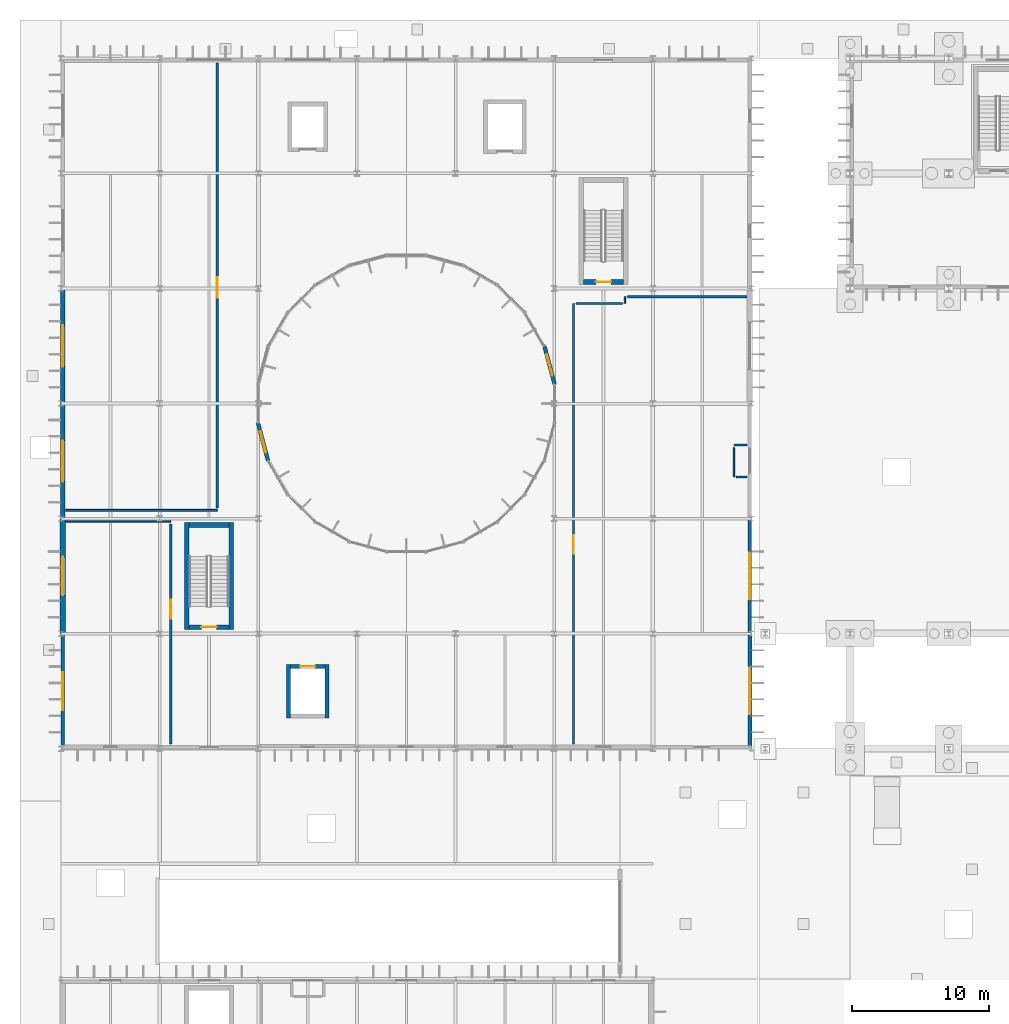
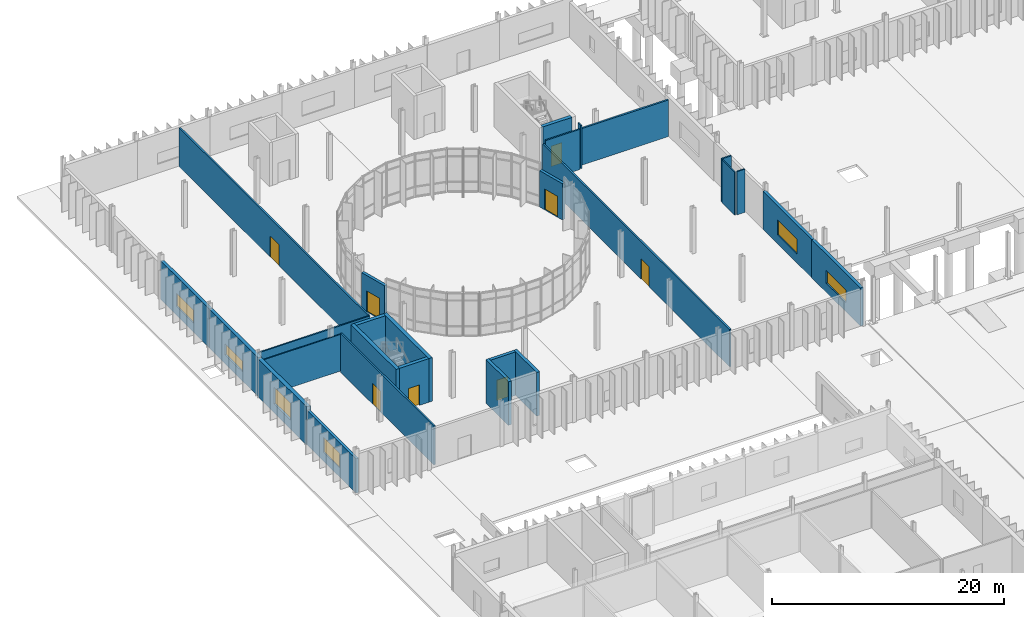
# One storey, part 94 of 118: 27 walls, 8 doors, 6 windows, 14 openings.
"""IFC4 building model written with IfcOpenShell, lengths in metres."""

import ifcopenshell
import ifcopenshell.guid

model = None  # the IFC model being written
_history = None  # IfcOwnerHistory: only IFC2X3 demands one
_inside = {}  # id of a spatial element -> (the spatial element, [elements in it])
_under = {}  # id of a project, library or spatial element -> (it, [spatial elements below it])
_declared = {}  # id of a project -> (the project, [libraries it declares])
_typed = {}  # id of a type object -> (the type object, [elements of that type])
_made_of = {}  # id of a material, layer set ... -> (it, [elements and type objects made of it])


def new_model(schema):
    """Start an empty IFC model of exactly this schema.

    Asked for "IFC4X3", IfcOpenShell would pick the latest addendum, in which some entities
    have other attributes; the version numbers below select the first issue.
    IFC2X3 requires an IfcOwnerHistory on every rooted entity: one is made here for all.
    """
    global model, _history
    if schema == "IFC4X3":
        model = ifcopenshell.file(schema_version=(4, 3, 0, 0))
    else:
        model = ifcopenshell.file(schema=schema)
    _inside.clear()
    _under.clear()
    _declared.clear()
    _typed.clear()
    _made_of.clear()
    _history = None
    if model.schema == "IFC2X3":
        org = make("IfcOrganization", Name="unknown")
        user = make(
            "IfcPersonAndOrganization",
            ThePerson=make("IfcPerson", FamilyName="unknown"),
            TheOrganization=org,
        )
        app = make(
            "IfcApplication",
            ApplicationDeveloper=org,
            Version="unknown",
            ApplicationFullName="unknown",
            ApplicationIdentifier="unknown",
        )
        _history = make(
            "IfcOwnerHistory",
            OwningUser=user,
            OwningApplication=app,
            ChangeAction="ADDED",
            CreationDate=0,
        )
    return model


def make(cls, **values):
    """One entity of the class cls with the attributes given. An attribute that is None is left unset."""
    return model.create_entity(
        cls, **{name: value for name, value in values.items() if value is not None}
    )


def rooted(cls, **values):
    """An entity with a GlobalId (a new one), such as an element, a storey or a relation."""
    return make(cls, GlobalId=ifcopenshell.guid.new(), OwnerHistory=_history, **values)


def si_unit(unit_type, name, prefix=None):
    """IfcSIUnit, for example si_unit("LENGTHUNIT", "METRE", prefix="MILLI")."""
    return make("IfcSIUnit", UnitType=unit_type, Prefix=prefix, Name=name)


def assignment(units):
    """IfcUnitAssignment: the units of a project."""
    return None if units is None else make("IfcUnitAssignment", Units=units)


def point(xyz):
    """IfcCartesianPoint."""
    return None if xyz is None else make("IfcCartesianPoint", Coordinates=xyz)


def direction(xyz):
    """IfcDirection."""
    return None if xyz is None else make("IfcDirection", DirectionRatios=xyz)


def frame(location, z_axis=None, x_axis=None):
    """IfcAxis2Placement3D, a coordinate frame: its origin and axes. An axis left out is left unset."""
    return make(
        "IfcAxis2Placement3D",
        Location=point(location),
        Axis=direction(z_axis),
        RefDirection=direction(x_axis),
    )


def frame_2d(location, x_axis=None):
    """IfcAxis2Placement2D, a coordinate frame in the plane: its origin and x axis."""
    return make(
        "IfcAxis2Placement2D", Location=point(location), RefDirection=direction(x_axis)
    )


def origin():
    """The frame at (0, 0, 0) with its axes left unset."""
    return frame((0.0, 0.0, 0.0))


def place(relative_to, where):
    """IfcLocalPlacement: puts the frame where relative to a parent placement (None: the world)."""
    return make(
        "IfcLocalPlacement", PlacementRelTo=relative_to, RelativePlacement=where
    )


def context(
    kind, dimensions, precision=None, world=None, true_north=None, identifier=None
):
    """IfcGeometricRepresentationContext, for example the 3D "Model" context."""
    return make(
        "IfcGeometricRepresentationContext",
        ContextIdentifier=identifier,
        ContextType=kind,
        CoordinateSpaceDimension=dimensions,
        Precision=precision,
        WorldCoordinateSystem=world,
        TrueNorth=true_north,
    )


def subcontext(parent, identifier, kind, view, scale=None):
    """IfcGeometricRepresentationSubContext, for example "Body" below "Model"."""
    return make(
        "IfcGeometricRepresentationSubContext",
        ContextIdentifier=identifier,
        ContextType=kind,
        ParentContext=parent,
        TargetScale=scale,
        TargetView=view,
    )


def project(units=None, contexts=None):
    """IfcProject with its units and contexts."""
    return rooted(
        "IfcProject",
        Name="project",
        RepresentationContexts=contexts,
        UnitsInContext=assignment(units),
    )


def spatial(cls, under=None, at=None, **own):
    """A site, building, storey or space (cls), placed at a placement, below another one or the project."""
    s = rooted(cls, ObjectPlacement=at, **own)
    if under is not None:
        _under.setdefault(under.id(), (under, []))[1].append(s)
    return s


def profile(cls, at=None, kind="AREA", **sizes):
    """A parametric profile (cls). Its sizes go by their IFC names, for example OverallWidth=200.0."""
    return make(cls, ProfileType=kind, Position=at, **sizes)


def rectangle(**sizes):
    """IfcRectangleProfileDef."""
    return profile("IfcRectangleProfileDef", **sizes)


def extrude(swept, where, along, depth):
    """IfcExtrudedAreaSolid: the profile swept, set in the frame where, extruded along a direction by depth."""
    return make(
        "IfcExtrudedAreaSolid",
        SweptArea=swept,
        Position=where,
        ExtrudedDirection=direction(along),
        Depth=depth,
    )


def shape(context_of_items, identifier, shape_type, items):
    """IfcShapeRepresentation: the items that make up one representation, for example the "Body"."""
    return make(
        "IfcShapeRepresentation",
        ContextOfItems=context_of_items,
        RepresentationIdentifier=identifier,
        RepresentationType=shape_type,
        Items=items,
    )


def material(Name=None, Category=None):
    """IfcMaterial."""
    return make("IfcMaterial", Name=Name, Category=Category)


def layer(
    of_material, thickness, ventilated=None, Name=None, Category=None, Priority=None
):
    """IfcMaterialLayer: one layer of a wall or slab, of a material (None: an air gap)."""
    return make(
        "IfcMaterialLayer",
        Material=of_material,
        LayerThickness=thickness,
        IsVentilated=ventilated,
        Name=Name,
        Category=Category,
        Priority=Priority,
    )


def layer_set(layers, Name=None):
    """IfcMaterialLayerSet."""
    return make("IfcMaterialLayerSet", MaterialLayers=layers, LayerSetName=Name)


def made_of(thing, what):
    """Note that an element or type object is made of a material, layer set ...; save() writes the relation."""
    if what is not None:
        _made_of.setdefault(what.id(), (what, []))[1].append(thing)
    return thing


def type_object(cls, material=None, **own):
    """A type object (cls), such as IfcWallType, which elements share."""
    return made_of(rooted(cls, **own), material)


def element(
    cls,
    number,
    at=None,
    inside=None,
    cuts=None,
    type_object=None,
    material=None,
    context=None,
    identifier="Body",
    shape_type=None,
    held_by="IfcProductDefinitionShape",
    body=None,
    shapes=None,
    **own,
):
    """One element of the class cls, such as IfcWall. Its Tag is "e" and its number.

    at: its placement. inside: the storey or other place that contains it. cuts: it is an
    opening in that element (IfcRelVoidsElement). A single representation is given by context,
    identifier, shape_type and body (its items); several are given by shapes. held_by: the class
    of the entity that holds the representations. save() writes the other relations.
    """
    e = rooted(cls, Tag="e%d" % number, ObjectPlacement=at, **own)
    if body is not None:
        shapes = [shape(context, identifier, shape_type, body)]
    if shapes is not None:
        e.Representation = make(held_by, Representations=shapes)
    if inside is not None:
        _inside.setdefault(inside.id(), (inside, []))[1].append(e)
    if cuts is not None:
        rooted(
            "IfcRelVoidsElement", RelatingBuildingElement=cuts, RelatedOpeningElement=e
        )
    if type_object is not None:
        _typed.setdefault(type_object.id(), (type_object, []))[1].append(e)
    return made_of(e, material)


def fill(opening, filler):
    """IfcRelFillsElement: the door or window that sits in an opening."""
    return rooted(
        "IfcRelFillsElement",
        RelatingOpeningElement=opening,
        RelatedBuildingElement=filler,
    )


def aggregate(whole, parts):
    """IfcRelAggregates: a whole, such as a stair, and the parts it consists of."""
    return rooted("IfcRelAggregates", RelatingObject=whole, RelatedObjects=parts)


def save(model, path):
    """Write the relations noted so far, then the file.

    IfcRelAggregates (storeys below a building ...), IfcRelContainedInSpatialStructure (elements
    in a storey), IfcRelDefinesByType, IfcRelAssociatesMaterial and IfcRelDeclares: one each for
    every whole, place, type object, material and project.
    """
    for whole, parts in _under.values():
        aggregate(whole, parts)
    for where, things in _inside.values():
        rooted(
            "IfcRelContainedInSpatialStructure",
            RelatedElements=things,
            RelatingStructure=where,
        )
    for kind, things in _typed.values():
        rooted("IfcRelDefinesByType", RelatedObjects=things, RelatingType=kind)
    for what, things in _made_of.values():
        rooted("IfcRelAssociatesMaterial", RelatedObjects=things, RelatingMaterial=what)
    for by, libraries in _declared.values():
        rooted("IfcRelDeclares", RelatingContext=by, RelatedDefinitions=libraries)
    model.write(path)


model = new_model("IFC4")

# Units and contexts
model_context = context("Model", 3, precision=1e-05, world=origin(), true_north=direction((0.0, 1.0)))
body_context = subcontext(model_context, "Body", "Model", "MODEL_VIEW")
ifc_project = project(units=[si_unit("LENGTHUNIT", "METRE"), si_unit("AREAUNIT", "SQUARE_METRE"), si_unit("VOLUMEUNIT", "CUBIC_METRE"), si_unit("PLANEANGLEUNIT", "RADIAN"), si_unit("MASSUNIT", "GRAM", prefix="KILO")], contexts=[model_context])

# Site, building, storey
site_placement = place(None, origin())
site = spatial("IfcSite", under=ifc_project, at=site_placement, CompositionType="ELEMENT")
building_placement = place(site_placement, origin())
building = spatial("IfcBuilding", under=site, at=building_placement, Name="Qelthora Terrace Specialist Clinic", CompositionType="ELEMENT")
storey_placement = place(building_placement, origin())
storey = spatial("IfcBuildingStorey", under=building, at=storey_placement, Name="L00", CompositionType="ELEMENT", Elevation=0.0)

# Walls
ifc_material_1 = material(Name="Concrete C40/50", Category="concrete")
ifc_layer_1 = layer(ifc_material_1, 0.300048828125)
ifc_layer_set_1 = layer_set([ifc_layer_1], Name="Concrete C40/50")
wall_type_1 = type_object("IfcWallType", Name="WAL-CORE-300-C40", PredefinedType="SHEAR", material=ifc_layer_set_1)
for number, where, z_axis, x_axis, name in (
    (1, (16.60009765625, 61.050048828125, 0.0), (0.0, 0.0, 1.0), (0.0, 1.0, 0.0), "Lift SL-01 L00 west shaft wall"),
    (2, (19.39990234375, 61.050048828125, 0.0), (0.0, 0.0, 1.0), (0.0, 1.0, 0.0), "Lift SL-01 L00 east shaft wall"),
):
    element("IfcWall", number, at=place(storey_placement, frame(where, z_axis=z_axis, x_axis=x_axis)), inside=storey, type_object=wall_type_1, Name=name, PredefinedType="SHEAR", context=body_context, shape_type="SweptSolid", body=[
        extrude(rectangle(XDim=3.89990234375, YDim=0.300048828125, at=frame_2d((1.949951171875, 0.0))), origin(), (0.0, 0.0, 1.0), 4.580078125),
    ])

# Wall, opening, door
wall_1_placement = place(storey_placement, frame((16.75, 64.800048828125, 0.0), z_axis=(0.0, 0.0, 1.0), x_axis=(1.0, 0.0, 0.0)))
wall_1 = element("IfcWall", 3, at=wall_1_placement, inside=storey, type_object=wall_type_1, Name="Lift SL-01 L00 north shaft wall", PredefinedType="SHEAR", context=body_context, shape_type="SweptSolid", body=[
    extrude(rectangle(XDim=2.5, YDim=0.300048828125, at=frame_2d((1.25, 0.0))), origin(), (0.0, 0.0, 1.0), 4.580078125),
])
opening_1_placement = place(wall_1_placement, frame((0.699951171875, 0.0, 0.0)))
opening_1 = element("IfcOpeningElement", 4, at=opening_1_placement, cuts=wall_1, Name="Opening LD-SL-01-L00", PredefinedType="OPENING", context=body_context, shape_type="SweptSolid", body=[
    extrude(rectangle(XDim=1.10009765625, YDim=2.14990234375, at=frame_2d((0.550048828125, 1.074951171875))), frame((0.0, 0.159912109375, 0.0), z_axis=(0.0, -1.0, 0.0), x_axis=(1.0, 0.0, 0.0)), (0.0, 0.0, 1.0), 0.320068359375),
])
ifc_material_2 = material(Name="Steel S355", Category="steel")
door_type_1 = type_object("IfcDoorType", Name="DOR-LIFT-1100X2150", OperationType="NOTDEFINED", PredefinedType="DOOR", material=ifc_material_2)
door_1_placement = place(opening_1_placement, origin())
door_1 = element("IfcDoor", 5, at=door_1_placement, inside=storey, type_object=door_type_1, Name="Lift landing sliding door LD-SL-01-L00", OperationType="DOUBLE_DOOR_SLIDING", OverallHeight=2.14990234375, OverallWidth=1.10009765625, PredefinedType="DOOR", context=body_context, shape_type="SweptSolid", body=[
    extrude(rectangle(XDim=1.10009765625, YDim=2.14990234375, at=frame_2d((0.550048828125, 1.074951171875))), frame((0.0, 0.02490234375, 0.0), z_axis=(0.0, -1.0, 0.0), x_axis=(1.0, 0.0, 0.0)), (0.0, 0.0, 1.0), 0.050048828125),
])
fill(opening_1, door_1)

# Walls
ifc_layer_2 = layer(ifc_material_1, 0.35009765625)
ifc_layer_set_2 = layer_set([ifc_layer_2], Name="Concrete C40/50")
wall_type_2 = type_object("IfcWallType", Name="WAL-CORE-350-C40", PredefinedType="SHEAR", material=ifc_layer_set_2)
for number, where, z_axis, x_axis, name in (
    (6, (9.175048828125, 67.5, 0.0), (0.0, 0.0, 1.0), (0.0, 1.0, 0.0), "ST-01 L00 west shear core wall"),
    (7, (12.425048828125, 67.5, 0.0), (0.0, 0.0, 1.0), (0.0, 1.0, 0.0), "ST-01 L00 east shear core wall"),
):
    element("IfcWall", number, at=place(storey_placement, frame(where, z_axis=z_axis, x_axis=x_axis)), inside=storey, type_object=wall_type_2, Name=name, PredefinedType="SHEAR", context=body_context, shape_type="SweptSolid", body=[
        extrude(rectangle(XDim=7.800048828125, YDim=0.35009765625, at=frame_2d((3.89990234375, 0.0))), origin(), (0.0, 0.0, 1.0), 4.580078125),
    ])
wall_2_placement = place(storey_placement, frame((9.35009765625, 75.125, 0.0), z_axis=(0.0, 0.0, 1.0), x_axis=(1.0, 0.0, 0.0)))
element("IfcWall", 8, at=wall_2_placement, inside=storey, type_object=wall_type_2, Name="ST-01 L00 north shear core wall", PredefinedType="SHEAR", context=body_context, shape_type="SweptSolid", body=[
    extrude(rectangle(XDim=2.89990234375, YDim=0.35009765625, at=frame_2d((1.449951171875, 0.0))), origin(), (0.0, 0.0, 1.0), 4.580078125),
])

# Wall, opening, door
wall_3_placement = place(storey_placement, frame((9.35009765625, 67.675048828125, 0.0), z_axis=(0.0, 0.0, 1.0), x_axis=(1.0, 0.0, 0.0)))
wall_3 = element("IfcWall", 9, at=wall_3_placement, inside=storey, type_object=wall_type_2, Name="ST-01 L00 south shear core wall", PredefinedType="SHEAR", context=body_context, shape_type="SweptSolid", body=[
    extrude(rectangle(XDim=2.89990234375, YDim=0.35009765625, at=frame_2d((1.449951171875, 0.0))), origin(), (0.0, 0.0, 1.0), 4.580078125),
])
opening_2_placement = place(wall_3_placement, frame((0.89990234375, 0.0, 0.0)))
opening_2 = element("IfcOpeningElement", 10, at=opening_2_placement, cuts=wall_3, Name="Opening D-ST-01-L00", PredefinedType="OPENING", context=body_context, shape_type="SweptSolid", body=[
    extrude(rectangle(XDim=1.10009765625, YDim=2.14990234375, at=frame_2d((0.550048828125, 1.074951171875))), frame((0.0, 0.18505859375, 0.0), z_axis=(0.0, -1.0, 0.0), x_axis=(1.0, 0.0, 0.0)), (0.0, 0.0, 1.0), 0.3701171875),
])
door_type_2 = type_object("IfcDoorType", Name="DOR-STAIR-1100X2150", OperationType="NOTDEFINED", PredefinedType="DOOR", material=ifc_material_2)
door_2_placement = place(opening_2_placement, frame((1.10009765625, 0.0, 0.0), z_axis=(0.0, 0.0, 1.0), x_axis=(-1.0, 0.0, 0.0)))
door_2 = element("IfcDoor", 11, at=door_2_placement, inside=storey, type_object=door_type_2, Name="Stair fire door D-ST-01-L00", OperationType="SINGLE_SWING_LEFT", OverallHeight=2.14990234375, OverallWidth=1.10009765625, PredefinedType="DOOR", context=body_context, shape_type="SweptSolid", body=[
    extrude(rectangle(XDim=1.10009765625, YDim=2.14990234375, at=frame_2d((0.550048828125, 1.074951171875))), frame((0.0, 0.02490234375, 0.0), z_axis=(0.0, -1.0, 0.0), x_axis=(1.0, 0.0, 0.0)), (0.0, 0.0, 1.0), 0.050048828125),
])
fill(opening_2, door_2)

wall_4_placement = place(storey_placement, frame((38.14990234375, 92.875, 0.0), z_axis=(0.0, 0.0, 1.0), x_axis=(1.0, 0.0, 0.0)))
wall_4 = element("IfcWall", 12, at=wall_4_placement, inside=storey, type_object=wall_type_2, Name="ST-02 L00 south shear core wall", PredefinedType="SHEAR", context=body_context, shape_type="SweptSolid", body=[
    extrude(rectangle(XDim=2.900146484375, YDim=0.35009765625, at=frame_2d((1.4501953125, 0.0))), origin(), (0.0, 0.0, 1.0), 4.580078125),
])
opening_3_placement = place(wall_4_placement, frame((0.89990234375, 0.0, 0.0)))
opening_3 = element("IfcOpeningElement", 13, at=opening_3_placement, cuts=wall_4, Name="Opening D-ST-02-L00", PredefinedType="OPENING", context=body_context, shape_type="SweptSolid", body=[
    extrude(rectangle(XDim=1.10009765625, YDim=2.14990234375, at=frame_2d((0.550048828125, 1.074951171875))), frame((0.0, 0.18505859375, 0.0), z_axis=(0.0, -1.0, 0.0), x_axis=(1.0, 0.0, 0.0)), (0.0, 0.0, 1.0), 0.3701171875),
])
door_3_placement = place(opening_3_placement, frame((1.10009765625, 0.0, 0.0), z_axis=(0.0, 0.0, 1.0), x_axis=(-1.0, 0.0, 0.0)))
door_3 = element("IfcDoor", 14, at=door_3_placement, inside=storey, type_object=door_type_2, Name="Stair fire door D-ST-02-L00", OperationType="SINGLE_SWING_RIGHT", OverallHeight=2.14990234375, OverallWidth=1.10009765625, PredefinedType="DOOR", context=body_context, shape_type="SweptSolid", body=[
    extrude(rectangle(XDim=1.10009765625, YDim=2.14990234375, at=frame_2d((0.550048828125, 1.074951171875))), frame((0.0, 0.02490234375, 0.0), z_axis=(0.0, -1.0, 0.0), x_axis=(1.0, 0.0, 0.0)), (0.0, 0.0, 1.0), 0.050048828125),
])
fill(opening_3, door_3)

# Wall, opening, window
ifc_material_3 = material(Name="Precast concrete C40/50", Category="concrete")
ifc_layer_3 = layer(ifc_material_3, 0.260009765625)
ifc_layer_set_3 = layer_set([ifc_layer_3], Name="Precast concrete C40/50")
wall_type_3 = type_object("IfcWallType", Name="WAL-EXT-260-PC40", PredefinedType="SOLIDWALL", material=ifc_layer_set_3)
wall_5_placement = place(storey_placement, frame((0.1201171875, 58.800048828125, 0.0), z_axis=(0.0, 0.0, 1.0), x_axis=(0.0, 1.0, 0.0)))
wall_5 = element("IfcWall", 15, at=wall_5_placement, inside=storey, type_object=wall_type_3, Name="L00 external precast wall 64", PredefinedType="SOLIDWALL", context=body_context, shape_type="SweptSolid", body=[
    extrude(rectangle(XDim=8.39990234375, YDim=0.260009765625, at=frame_2d((4.199951171875, 0.0))), origin(), (0.0, 0.0, 1.0), 3.614990234375),
])
opening_4_placement = place(wall_5_placement, frame((2.800048828125, 0.0, 0.949951171875)))
opening_4 = element("IfcOpeningElement", 16, at=opening_4_placement, cuts=wall_5, Name="Opening WN-L00-047", PredefinedType="OPENING", context=body_context, shape_type="SweptSolid", body=[
    extrude(rectangle(XDim=2.800048828125, YDim=1.550048828125, at=frame_2d((1.39990234375, 0.77490234375))), frame((0.0, 0.139892578125, 0.0), z_axis=(0.0, -1.0, 0.0), x_axis=(1.0, 0.0, 0.0)), (0.0, 0.0, 1.0), 0.280029296875),
])
ifc_material_4 = material(Name="Low-E triple-silver insulating glass", Category="glass")
window_type_1 = type_object("IfcWindowType", Name="WIN-2800X1550", PartitioningType="DOUBLE_PANEL_VERTICAL", PredefinedType="WINDOW", material=ifc_material_4)
window_1_placement = place(opening_4_placement, origin())
window_1 = element("IfcWindow", 17, at=window_1_placement, inside=storey, type_object=window_type_1, Name="Clinical window WN-L00-047", OverallHeight=1.550048828125, OverallWidth=2.800048828125, PartitioningType="SINGLE_PANEL", PredefinedType="WINDOW", context=body_context, shape_type="SweptSolid", body=[
    extrude(rectangle(XDim=2.800048828125, YDim=1.550048828125, at=frame_2d((1.39990234375, 0.77490234375))), frame((0.0, 0.030029296875, 0.0), z_axis=(0.0, -1.0, 0.0), x_axis=(1.0, 0.0, 0.0)), (0.0, 0.0, 1.0), 0.06005859375),
])
fill(opening_4, window_1)

# Wall, opening, door
ifc_layer_4 = layer(ifc_material_3, 0.280029296875)
ifc_layer_set_4 = layer_set([ifc_layer_4], Name="Precast concrete C40/50")
wall_type_4 = type_object("IfcWallType", Name="WAL-EXT-280-PC40", PredefinedType="SOLIDWALL", material=ifc_layer_set_4)
wall_6_placement = place(storey_placement, frame((36.0234375, 85.440673828125, 0.0), z_axis=(0.0, 0.0, 1.0), x_axis=(-0.258821206935, 0.965925247025, 0.0)))
wall_6 = element("IfcWall", 18, at=wall_6_placement, inside=storey, type_object=wall_type_4, Name="Sun court CW portal wall 1", PredefinedType="SOLIDWALL", context=body_context, shape_type="SweptSolid", body=[
    extrude(rectangle(XDim=2.819580078125, YDim=0.280029296875, at=frame_2d((1.40966796875, 0.0))), origin(), (0.0, 0.0, 1.0), 3.820068359375),
])
opening_5_placement = place(wall_6_placement, frame((0.609619140625, 0.0, 0.0)))
opening_5 = element("IfcOpeningElement", 19, at=opening_5_placement, cuts=wall_6, Name="Opening DE-CW-01", PredefinedType="OPENING", context=body_context, shape_type="SweptSolid", body=[
    extrude(rectangle(XDim=1.60009765625, YDim=2.199951171875, at=frame_2d((0.800048828125, 1.10009765625))), frame((0.0, 0.14990234375, 0.0), z_axis=(0.0, -1.0, 0.0), x_axis=(1.0, 0.0, 0.0)), (0.0, 0.0, 1.0), 0.300048828125),
])
door_type_3 = type_object("IfcDoorType", Name="DOR-EXT-1600X2200", OperationType="NOTDEFINED", PredefinedType="DOOR", material=ifc_material_2)
door_4_placement = place(opening_5_placement, origin())
door_4 = element("IfcDoor", 20, at=door_4_placement, inside=storey, type_object=door_type_3, Name="Sun court entrance door DE-CW-01", OperationType="DOUBLE_DOOR_SINGLE_SWING", OverallHeight=2.199951171875, OverallWidth=1.60009765625, PredefinedType="DOOR", context=body_context, shape_type="SweptSolid", body=[
    extrude(rectangle(XDim=1.60009765625, YDim=2.199951171875, at=frame_2d((0.800048828125, 1.10009765625))), frame((0.0, 0.02490234375, 0.0), z_axis=(0.0, -1.0, 0.0), x_axis=(1.0, 0.0, 0.0)), (0.0, 0.0, 1.0), 0.050048828125),
])
fill(opening_5, door_4)

wall_7_placement = place(storey_placement, frame((14.37646484375, 82.559326171875, 0.0), z_axis=(0.0, 0.0, 1.0), x_axis=(0.258821206935, -0.965925247025, 0.0)))
wall_7 = element("IfcWall", 21, at=wall_7_placement, inside=storey, type_object=wall_type_4, Name="Sun court CW portal wall 13", PredefinedType="SOLIDWALL", context=body_context, shape_type="SweptSolid", body=[
    extrude(rectangle(XDim=2.819580078125, YDim=0.280029296875, at=frame_2d((1.40966796875, 0.0))), origin(), (0.0, 0.0, 1.0), 3.820068359375),
])
opening_6_placement = place(wall_7_placement, frame((0.609619140625, 0.0, 0.0)))
opening_6 = element("IfcOpeningElement", 22, at=opening_6_placement, cuts=wall_7, Name="Opening DE-CW-13", PredefinedType="OPENING", context=body_context, shape_type="SweptSolid", body=[
    extrude(rectangle(XDim=1.60009765625, YDim=2.199951171875, at=frame_2d((0.800048828125, 1.10009765625))), frame((0.0, 0.14990234375, 0.0), z_axis=(0.0, -1.0, 0.0), x_axis=(1.0, 0.0, 0.0)), (0.0, 0.0, 1.0), 0.300048828125),
])
door_5_placement = place(opening_6_placement, origin())
door_5 = element("IfcDoor", 23, at=door_5_placement, inside=storey, type_object=door_type_3, Name="Sun court entrance door DE-CW-13", OperationType="DOUBLE_DOOR_SINGLE_SWING", OverallHeight=2.199951171875, OverallWidth=1.60009765625, PredefinedType="DOOR", context=body_context, shape_type="SweptSolid", body=[
    extrude(rectangle(XDim=1.60009765625, YDim=2.199951171875, at=frame_2d((0.800048828125, 1.10009765625))), frame((0.0, 0.02490234375, 0.0), z_axis=(0.0, -1.0, 0.0), x_axis=(1.0, 0.0, 0.0)), (0.0, 0.0, 1.0), 0.050048828125),
])
fill(opening_6, door_5)

# Wall, opening, window
wall_8_placement = place(storey_placement, frame((50.280029296875, 67.199951171875, 0.0), z_axis=(0.0, 0.0, 1.0), x_axis=(0.0, 1.0, 0.0)))
wall_8 = element("IfcWall", 24, at=wall_8_placement, inside=storey, type_object=wall_type_4, Name="L00 external precast wall 78", PredefinedType="SOLIDWALL", context=body_context, shape_type="SweptSolid", body=[
    extrude(rectangle(XDim=8.400146484375, YDim=0.280029296875, at=frame_2d((4.2001953125, 0.0))), origin(), (0.0, 0.0, 1.0), 4.0048828125),
])
opening_7_placement = place(wall_8_placement, frame((2.5, 0.0, 0.949951171875)))
opening_7 = element("IfcOpeningElement", 25, at=opening_7_placement, cuts=wall_8, Name="Opening WN-L00-059", PredefinedType="OPENING", context=body_context, shape_type="SweptSolid", body=[
    extrude(rectangle(XDim=3.39990234375, YDim=1.550048828125, at=frame_2d((1.699951171875, 0.77490234375))), frame((0.0, 0.14990234375, 0.0), z_axis=(0.0, -1.0, 0.0), x_axis=(1.0, 0.0, 0.0)), (0.0, 0.0, 1.0), 0.300048828125),
])
window_type_2 = type_object("IfcWindowType", Name="WIN-3400X1550", PartitioningType="DOUBLE_PANEL_VERTICAL", PredefinedType="WINDOW", material=ifc_material_4)
window_2_placement = place(opening_7_placement, origin())
window_2 = element("IfcWindow", 26, at=window_2_placement, inside=storey, type_object=window_type_2, Name="Clinical window WN-L00-059", OverallHeight=1.550048828125, OverallWidth=3.39990234375, PartitioningType="SINGLE_PANEL", PredefinedType="WINDOW", context=body_context, shape_type="SweptSolid", body=[
    extrude(rectangle(XDim=3.39990234375, YDim=1.550048828125, at=frame_2d((1.699951171875, 0.77490234375))), frame((0.0, 0.030029296875, 0.0), z_axis=(0.0, -1.0, 0.0), x_axis=(1.0, 0.0, 0.0)), (0.0, 0.0, 1.0), 0.06005859375),
])
fill(opening_7, window_2)

ifc_layer_5 = layer(ifc_material_3, 0.300048828125)
ifc_layer_set_5 = layer_set([ifc_layer_5], Name="Precast concrete C40/50")
wall_type_5 = type_object("IfcWallType", Name="WAL-EXT-300-PC40", PredefinedType="SOLIDWALL", material=ifc_layer_set_5)
wall_9_placement = place(storey_placement, frame((0.1201171875, 84.0, 0.0), z_axis=(0.0, 0.0, 1.0), x_axis=(0.0, 1.0, 0.0)))
wall_9 = element("IfcWall", 27, at=wall_9_placement, inside=storey, type_object=wall_type_5, Name="L00 external precast wall 67", PredefinedType="SOLIDWALL", context=body_context, shape_type="SweptSolid", body=[
    extrude(rectangle(XDim=8.39990234375, YDim=0.300048828125, at=frame_2d((4.199951171875, 0.0))), origin(), (0.0, 0.0, 1.0), 4.08203125),
])
opening_8_placement = place(wall_9_placement, frame((2.699951171875, 0.0, 0.949951171875)))
opening_8 = element("IfcOpeningElement", 28, at=opening_8_placement, cuts=wall_9, Name="Opening WN-L00-050", PredefinedType="OPENING", context=body_context, shape_type="SweptSolid", body=[
    extrude(rectangle(XDim=3.0, YDim=1.35009765625, at=frame_2d((1.5, 0.675048828125))), frame((0.0, 0.159912109375, 0.0), z_axis=(0.0, -1.0, 0.0), x_axis=(1.0, 0.0, 0.0)), (0.0, 0.0, 1.0), 0.320068359375),
])
window_type_3 = type_object("IfcWindowType", Name="WIN-3000X1350", PartitioningType="DOUBLE_PANEL_VERTICAL", PredefinedType="WINDOW", material=ifc_material_4)
window_3_placement = place(opening_8_placement, origin())
window_3 = element("IfcWindow", 29, at=window_3_placement, inside=storey, type_object=window_type_3, Name="Clinical window WN-L00-050", OverallHeight=1.35009765625, OverallWidth=3.0, PartitioningType="SINGLE_PANEL", PredefinedType="WINDOW", context=body_context, shape_type="SweptSolid", body=[
    extrude(rectangle(XDim=3.0, YDim=1.35009765625, at=frame_2d((1.5, 0.675048828125))), frame((0.0, 0.030029296875, 0.0), z_axis=(0.0, -1.0, 0.0), x_axis=(1.0, 0.0, 0.0)), (0.0, 0.0, 1.0), 0.06005859375),
])
fill(opening_8, window_3)

wall_10_placement = place(storey_placement, frame((50.280029296875, 58.800048828125, 0.0), z_axis=(0.0, 0.0, 1.0), x_axis=(0.0, 1.0, 0.0)))
wall_10 = element("IfcWall", 30, at=wall_10_placement, inside=storey, type_object=wall_type_5, Name="L00 external precast wall 77", PredefinedType="SOLIDWALL", context=body_context, shape_type="SweptSolid", body=[
    extrude(rectangle(XDim=8.39990234375, YDim=0.300048828125, at=frame_2d((4.199951171875, 0.0))), origin(), (0.0, 0.0, 1.0), 4.0048828125),
])
opening_9_placement = place(wall_10_placement, frame((2.5, 0.0, 0.949951171875)))
opening_9 = element("IfcOpeningElement", 31, at=opening_9_placement, cuts=wall_10, Name="Opening WN-L00-058", PredefinedType="OPENING", context=body_context, shape_type="SweptSolid", body=[
    extrude(rectangle(XDim=3.39990234375, YDim=1.35009765625, at=frame_2d((1.699951171875, 0.675048828125))), frame((0.0, 0.159912109375, 0.0), z_axis=(0.0, -1.0, 0.0), x_axis=(1.0, 0.0, 0.0)), (0.0, 0.0, 1.0), 0.320068359375),
])
window_type_4 = type_object("IfcWindowType", Name="WIN-3400X1350", PartitioningType="DOUBLE_PANEL_VERTICAL", PredefinedType="WINDOW", material=ifc_material_4)
window_4_placement = place(opening_9_placement, origin())
window_4 = element("IfcWindow", 32, at=window_4_placement, inside=storey, type_object=window_type_4, Name="Clinical window WN-L00-058", OverallHeight=1.35009765625, OverallWidth=3.39990234375, PartitioningType="SINGLE_PANEL", PredefinedType="WINDOW", context=body_context, shape_type="SweptSolid", body=[
    extrude(rectangle(XDim=3.39990234375, YDim=1.35009765625, at=frame_2d((1.699951171875, 0.675048828125))), frame((0.0, 0.030029296875, 0.0), z_axis=(0.0, -1.0, 0.0), x_axis=(1.0, 0.0, 0.0)), (0.0, 0.0, 1.0), 0.06005859375),
])
fill(opening_9, window_4)

ifc_layer_6 = layer(ifc_material_3, 0.320068359375)
ifc_layer_set_6 = layer_set([ifc_layer_6], Name="Precast concrete C40/50")
wall_type_6 = type_object("IfcWallType", Name="WAL-EXT-320-PC40", PredefinedType="SOLIDWALL", material=ifc_layer_set_6)
wall_11_placement = place(storey_placement, frame((0.1201171875, 75.60009765625, 0.0), z_axis=(0.0, 0.0, 1.0), x_axis=(0.0, 1.0, 0.0)))
wall_11 = element("IfcWall", 33, at=wall_11_placement, inside=storey, type_object=wall_type_6, Name="L00 external precast wall 66", PredefinedType="SOLIDWALL", context=body_context, shape_type="SweptSolid", body=[
    extrude(rectangle(XDim=8.39990234375, YDim=0.320068359375, at=frame_2d((4.199951171875, 0.0))), origin(), (0.0, 0.0, 1.0), 4.075927734375),
])
opening_10_placement = place(wall_11_placement, frame((2.699951171875, 0.0, 0.949951171875)))
opening_10 = element("IfcOpeningElement", 34, at=opening_10_placement, cuts=wall_11, Name="Opening WN-L00-049", PredefinedType="OPENING", context=body_context, shape_type="SweptSolid", body=[
    extrude(rectangle(XDim=3.0, YDim=1.14990234375, at=frame_2d((1.5, 0.574951171875))), frame((0.0, 0.169921875, 0.0), z_axis=(0.0, -1.0, 0.0), x_axis=(1.0, 0.0, 0.0)), (0.0, 0.0, 1.0), 0.340087890625),
])
window_type_5 = type_object("IfcWindowType", Name="WIN-3000X1150", PartitioningType="DOUBLE_PANEL_VERTICAL", PredefinedType="WINDOW", material=ifc_material_4)
window_5_placement = place(opening_10_placement, origin())
window_5 = element("IfcWindow", 35, at=window_5_placement, inside=storey, type_object=window_type_5, Name="Clinical window WN-L00-049", OverallHeight=1.14990234375, OverallWidth=3.0, PartitioningType="SINGLE_PANEL", PredefinedType="WINDOW", context=body_context, shape_type="SweptSolid", body=[
    extrude(rectangle(XDim=3.0, YDim=1.14990234375, at=frame_2d((1.5, 0.574951171875))), frame((0.0, 0.030029296875, 0.0), z_axis=(0.0, -1.0, 0.0), x_axis=(1.0, 0.0, 0.0)), (0.0, 0.0, 1.0), 0.06005859375),
])
fill(opening_10, window_5)

ifc_layer_7 = layer(ifc_material_3, 0.3798828125)
ifc_layer_set_7 = layer_set([ifc_layer_7], Name="Precast concrete C40/50")
wall_type_7 = type_object("IfcWallType", Name="WAL-EXT-380-PC40", PredefinedType="SOLIDWALL", material=ifc_layer_set_7)
wall_12_placement = place(storey_placement, frame((0.1201171875, 67.199951171875, 0.0), z_axis=(0.0, 0.0, 1.0), x_axis=(0.0, 1.0, 0.0)))
wall_12 = element("IfcWall", 36, at=wall_12_placement, inside=storey, type_object=wall_type_7, Name="L00 external precast wall 65", PredefinedType="SOLIDWALL", context=body_context, shape_type="SweptSolid", body=[
    extrude(rectangle(XDim=8.400146484375, YDim=0.3798828125, at=frame_2d((4.2001953125, 0.0))), origin(), (0.0, 0.0, 1.0), 4.0048828125),
])
opening_11_placement = place(wall_12_placement, frame((2.800048828125, 0.0, 0.949951171875)))
opening_11 = element("IfcOpeningElement", 37, at=opening_11_placement, cuts=wall_12, Name="Opening WN-L00-048", PredefinedType="OPENING", context=body_context, shape_type="SweptSolid", body=[
    extrude(rectangle(XDim=2.800048828125, YDim=1.75, at=frame_2d((1.39990234375, 0.875))), frame((0.0, 0.199951171875, 0.0), z_axis=(0.0, -1.0, 0.0), x_axis=(1.0, 0.0, 0.0)), (0.0, 0.0, 1.0), 0.39990234375),
])
window_type_6 = type_object("IfcWindowType", Name="WIN-2800X1750", PartitioningType="DOUBLE_PANEL_VERTICAL", PredefinedType="WINDOW", material=ifc_material_4)
window_6_placement = place(opening_11_placement, origin())
window_6 = element("IfcWindow", 38, at=window_6_placement, inside=storey, type_object=window_type_6, Name="Clinical window WN-L00-048", OverallHeight=1.75, OverallWidth=2.800048828125, PartitioningType="SINGLE_PANEL", PredefinedType="WINDOW", context=body_context, shape_type="SweptSolid", body=[
    extrude(rectangle(XDim=2.800048828125, YDim=1.75, at=frame_2d((1.39990234375, 0.875))), frame((0.0, 0.030029296875, 0.0), z_axis=(0.0, -1.0, 0.0), x_axis=(1.0, 0.0, 0.0)), (0.0, 0.0, 1.0), 0.06005859375),
])
fill(opening_11, window_6)

# Walls
ifc_material_5 = material(Name="Gypsum acoustic wallboard", Category="gypsum")
ifc_layer_8 = layer(ifc_material_5, 0.139892578125)
ifc_layer_set_8 = layer_set([ifc_layer_8], Name="Gypsum acoustic wallboard")
wall_type_8 = type_object("IfcWallType", Name="WAL-INT-ACU-140", PredefinedType="PARTITIONING", material=ifc_layer_set_8)
wall_13_placement = place(storey_placement, frame((11.39990234375, 76.199951171875, 0.0), z_axis=(0.0, 0.0, 1.0), x_axis=(-1.0, 0.0, 0.0)))
element("IfcWall", 39, at=wall_13_placement, inside=storey, type_object=wall_type_8, Name="Interior clinical partition IWAL-L00-0124", PredefinedType="PARTITIONING", context=body_context, shape_type="SweptSolid", body=[
    extrude(rectangle(XDim=11.059814453125, YDim=0.139892578125, at=frame_2d((5.52978515625, 0.0))), origin(), (0.0, 0.0, 1.0), 4.135009765625),
])
wall_14_placement = place(storey_placement, frame((49.300048828125, 78.639892578125, 0.0), z_axis=(0.0, 0.0, 1.0), x_axis=(1.0, 0.0, 0.0)))
element("IfcWall", 40, at=wall_14_placement, inside=storey, type_object=wall_type_8, Name="Interior clinical partition IWAL-L00-0130", PredefinedType="PARTITIONING", context=body_context, shape_type="SweptSolid", body=[
    extrude(rectangle(XDim=0.760009765625, YDim=0.139892578125, at=frame_2d((0.3798828125, 0.0))), origin(), (0.0, 0.0, 1.0), 4.544921875),
])
ifc_material_6 = material(Name="Gypsum fire-rated wallboard", Category="gypsum")
ifc_layer_9 = layer(ifc_material_6, 0.179931640625)
ifc_layer_set_9 = layer_set([ifc_layer_9], Name="Gypsum fire-rated wallboard")
wall_type_9 = type_object("IfcWallType", Name="WAL-INT-CLN-180", PredefinedType="PARTITIONING", material=ifc_layer_set_9)
wall_15_placement = place(storey_placement, frame((41.340087890625, 91.800048828125, 0.0), z_axis=(0.0, 0.0, 1.0), x_axis=(1.0, 0.0, 0.0)))
element("IfcWall", 41, at=wall_15_placement, inside=storey, type_object=wall_type_9, Name="Interior clinical partition IWAL-L00-0127", PredefinedType="PARTITIONING", context=body_context, shape_type="SweptSolid", body=[
    extrude(rectangle(XDim=8.719970703125, YDim=0.179931640625, at=frame_2d((4.35986328125, 0.0))), origin(), (0.0, 0.0, 1.0), 3.85205078125),
])

# Wall, opening, door
ifc_layer_10 = layer(ifc_material_6, 0.159912109375)
ifc_layer_set_10 = layer_set([ifc_layer_10], Name="Gypsum fire-rated wallboard")
wall_type_10 = type_object("IfcWallType", Name="WAL-INT-COR-160", PredefinedType="PARTITIONING", material=ifc_layer_set_10)
wall_16_placement = place(storey_placement, frame((11.39990234375, 108.860107421875, 0.0), z_axis=(0.0, 0.0, 1.0), x_axis=(0.0, -1.0, 0.0)))
wall_16 = element("IfcWall", 42, at=wall_16_placement, inside=storey, type_object=wall_type_10, Name="Interior clinical partition IWAL-L00-0125", PredefinedType="PARTITIONING", context=body_context, shape_type="SweptSolid", body=[
    extrude(rectangle(XDim=32.480224609375, YDim=0.159912109375, at=frame_2d((16.240234375, 0.0))), origin(), (0.0, 0.0, 1.0), 4.0849609375),
])
opening_12_placement = place(wall_16_placement, frame((15.64990234375, 0.0, 0.0)))
opening_12 = element("IfcOpeningElement", 43, at=opening_12_placement, cuts=wall_16, Name="Opening DI-L00-0048", PredefinedType="OPENING", context=body_context, shape_type="SweptSolid", body=[
    extrude(rectangle(XDim=1.5, YDim=2.199951171875, at=frame_2d((0.75, 1.10009765625))), frame((0.0, 0.08984375, 0.0), z_axis=(0.0, -1.0, 0.0), x_axis=(1.0, 0.0, 0.0)), (0.0, 0.0, 1.0), 0.179931640625),
])
door_type_4 = type_object("IfcDoorType", Name="DOR-OR-1500X2200", OperationType="NOTDEFINED", PredefinedType="DOOR", material=ifc_material_2)
door_6_placement = place(opening_12_placement, frame((1.5, 0.0, 0.0), z_axis=(0.0, 0.0, 1.0), x_axis=(-1.0, 0.0, 0.0)))
door_6 = element("IfcDoor", 44, at=door_6_placement, inside=storey, type_object=door_type_4, Name="Interior clinical door DI-L00-0048", OperationType="SINGLE_SWING_LEFT", OverallHeight=2.199951171875, OverallWidth=1.5, PredefinedType="DOOR", context=body_context, shape_type="SweptSolid", body=[
    extrude(rectangle(XDim=1.5, YDim=2.199951171875, at=frame_2d((0.75, 1.10009765625))), frame((0.0, 0.02490234375, 0.0), z_axis=(0.0, -1.0, 0.0), x_axis=(1.0, 0.0, 0.0)), (0.0, 0.0, 1.0), 0.050048828125),
])
fill(opening_12, door_6)

wall_17_placement = place(storey_placement, frame((37.39990234375, 59.139892578125, 0.0), z_axis=(0.0, 0.0, 1.0), x_axis=(0.0, 1.0, 0.0)))
wall_17 = element("IfcWall", 45, at=wall_17_placement, inside=storey, type_object=wall_type_10, Name="Interior clinical partition IWAL-L00-0131", PredefinedType="PARTITIONING", context=body_context, shape_type="SweptSolid", body=[
    extrude(rectangle(XDim=32.175048828125, YDim=0.159912109375, at=frame_2d((16.08740234375, 0.0))), origin(), (0.0, 0.0, 1.0), 3.927978515625),
])
opening_13_placement = place(wall_17_placement, frame((13.882568359375, 0.0, 0.0)))
opening_13 = element("IfcOpeningElement", 46, at=opening_13_placement, cuts=wall_17, Name="Opening DI-L00-0049", PredefinedType="OPENING", context=body_context, shape_type="SweptSolid", body=[
    extrude(rectangle(XDim=1.35009765625, YDim=2.14990234375, at=frame_2d((0.675048828125, 1.074951171875))), frame((0.0, 0.08984375, 0.0), z_axis=(0.0, -1.0, 0.0), x_axis=(1.0, 0.0, 0.0)), (0.0, 0.0, 1.0), 0.179931640625),
])
door_type_5 = type_object("IfcDoorType", Name="DOR-IMG-1350X2150", OperationType="NOTDEFINED", PredefinedType="DOOR", material=ifc_material_2)
door_7_placement = place(opening_13_placement, frame((1.35009765625, 0.0, 0.0), z_axis=(0.0, 0.0, 1.0), x_axis=(-1.0, 0.0, 0.0)))
door_7 = element("IfcDoor", 47, at=door_7_placement, inside=storey, type_object=door_type_5, Name="Interior clinical door DI-L00-0049", OperationType="SINGLE_SWING_RIGHT", OverallHeight=2.14990234375, OverallWidth=1.35009765625, PredefinedType="DOOR", context=body_context, shape_type="SweptSolid", body=[
    extrude(rectangle(XDim=1.35009765625, YDim=2.14990234375, at=frame_2d((0.675048828125, 1.074951171875))), frame((0.0, 0.02490234375, 0.0), z_axis=(0.0, -1.0, 0.0), x_axis=(1.0, 0.0, 0.0)), (0.0, 0.0, 1.0), 0.050048828125),
])
fill(opening_13, door_7)

wall_18_placement = place(storey_placement, frame((8.0, 75.219970703125, 0.0), z_axis=(0.0, 0.0, 1.0), x_axis=(0.0, -1.0, 0.0)))
wall_18 = element("IfcWall", 48, at=wall_18_placement, inside=storey, type_object=wall_type_10, Name="Interior clinical partition IWAL-L00-0134", PredefinedType="PARTITIONING", context=body_context, shape_type="SweptSolid", body=[
    extrude(rectangle(XDim=16.080078125, YDim=0.159912109375, at=frame_2d((8.0400390625, 0.0))), origin(), (0.0, 0.0, 1.0), 4.0849609375),
])
opening_14_placement = place(wall_18_placement, frame((5.5400390625, 0.0, 0.0)))
opening_14 = element("IfcOpeningElement", 49, at=opening_14_placement, cuts=wall_18, Name="Opening DI-L00-0050", PredefinedType="OPENING", context=body_context, shape_type="SweptSolid", body=[
    extrude(rectangle(XDim=1.39990234375, YDim=2.199951171875, at=frame_2d((0.699951171875, 1.10009765625))), frame((0.0, 0.08984375, 0.0), z_axis=(0.0, -1.0, 0.0), x_axis=(1.0, 0.0, 0.0)), (0.0, 0.0, 1.0), 0.179931640625),
])
door_type_6 = type_object("IfcDoorType", Name="DOR-MRI-1400X2200", OperationType="NOTDEFINED", PredefinedType="DOOR", material=ifc_material_2)
door_8_placement = place(opening_14_placement, frame((1.39990234375, 0.0, 0.0), z_axis=(0.0, 0.0, 1.0), x_axis=(-1.0, 0.0, 0.0)))
door_8 = element("IfcDoor", 50, at=door_8_placement, inside=storey, type_object=door_type_6, Name="Interior clinical door DI-L00-0050", OperationType="SINGLE_SWING_LEFT", OverallHeight=2.199951171875, OverallWidth=1.39990234375, PredefinedType="DOOR", context=body_context, shape_type="SweptSolid", body=[
    extrude(rectangle(XDim=1.39990234375, YDim=2.199951171875, at=frame_2d((0.699951171875, 1.10009765625))), frame((0.0, 0.02490234375, 0.0), z_axis=(0.0, -1.0, 0.0), x_axis=(1.0, 0.0, 0.0)), (0.0, 0.0, 1.0), 0.050048828125),
])
fill(opening_14, door_8)

# Walls
ifc_layer_11 = layer(ifc_material_4, 0.110107421875)
ifc_layer_set_11 = layer_set([ifc_layer_11], Name="Low-E triple-silver insulating glass")
wall_type_11 = type_object("IfcWallType", Name="WAL-INT-GLA-110", PredefinedType="MOVABLE", material=ifc_layer_set_11)
wall_19_placement = place(storey_placement, frame((0.340087890625, 75.39990234375, 0.0), z_axis=(0.0, 0.0, 1.0), x_axis=(1.0, 0.0, 0.0)))
element("IfcWall", 51, at=wall_19_placement, inside=storey, type_object=wall_type_11, Name="Interior clinical partition IWAL-L00-0133", PredefinedType="MOVABLE", context=body_context, shape_type="SweptSolid", body=[
    extrude(rectangle(XDim=7.659912109375, YDim=0.110107421875, at=frame_2d((3.830078125, 0.0))), origin(), (0.0, 0.0, 1.0), 3.85693359375),
])
ifc_layer_12 = layer(ifc_material_5, 0.10009765625)
ifc_layer_set_12 = layer_set([ifc_layer_12], Name="Gypsum acoustic wallboard")
wall_type_12 = type_object("IfcWallType", Name="WAL-INT-LGT-100", PredefinedType="PARTITIONING", material=ifc_layer_set_12)
wall_20_placement = place(storey_placement, frame((49.1201171875, 80.780029296875, 0.0), z_axis=(0.0, 0.0, 1.0), x_axis=(0.0, -1.0, 0.0)))
element("IfcWall", 52, at=wall_20_placement, inside=storey, type_object=wall_type_12, Name="Interior clinical partition IWAL-L00-0129", PredefinedType="PARTITIONING", context=body_context, shape_type="SweptSolid", body=[
    extrude(rectangle(XDim=2.14013671875, YDim=0.10009765625, at=frame_2d((1.070068359375, 0.0))), origin(), (0.0, 0.0, 1.0), 4.544921875),
])
ifc_layer_13 = layer(ifc_material_5, 0.1201171875)
ifc_layer_set_13 = layer_set([ifc_layer_13], Name="Gypsum acoustic wallboard")
wall_type_13 = type_object("IfcWallType", Name="WAL-INT-STD-120", PredefinedType="PARTITIONING", material=ifc_layer_set_13)
wall_21_placement = place(storey_placement, frame((41.159912109375, 91.31494140625, 0.0), z_axis=(0.0, 0.0, 1.0), x_axis=(0.0, 1.0, 0.0)))
element("IfcWall", 53, at=wall_21_placement, inside=storey, type_object=wall_type_13, Name="Interior clinical partition IWAL-L00-0126", PredefinedType="PARTITIONING", context=body_context, shape_type="SweptSolid", body=[
    extrude(rectangle(XDim=0.485107421875, YDim=0.1201171875, at=frame_2d((0.24267578125, 0.0))), origin(), (0.0, 0.0, 1.0), 4.544921875),
])
ifc_material_7 = material(Name="Gypsum moisture-resistant", Category="gypsum")
ifc_layer_14 = layer(ifc_material_7, 0.14990234375)
ifc_layer_set_14 = layer_set([ifc_layer_14], Name="Gypsum moisture-resistant")
wall_type_14 = type_object("IfcWallType", Name="WAL-INT-WET-150", PredefinedType="PLUMBINGWALL", material=ifc_layer_set_14)
wall_22_placement = place(storey_placement, frame((50.06005859375, 80.9599609375, 0.0), z_axis=(0.0, 0.0, 1.0), x_axis=(-1.0, 0.0, 0.0)))
element("IfcWall", 54, at=wall_22_placement, inside=storey, type_object=wall_type_14, Name="Interior clinical partition IWAL-L00-0128", PredefinedType="PLUMBINGWALL", context=body_context, shape_type="SweptSolid", body=[
    extrude(rectangle(XDim=0.93994140625, YDim=0.14990234375, at=frame_2d((0.469970703125, 0.0))), origin(), (0.0, 0.0, 1.0), 4.544921875),
])
wall_23_placement = place(storey_placement, frame((37.580078125, 91.31494140625, 0.0), z_axis=(0.0, 0.0, 1.0), x_axis=(1.0, 0.0, 0.0)))
element("IfcWall", 55, at=wall_23_placement, inside=storey, type_object=wall_type_14, Name="Interior clinical partition IWAL-L00-0132", PredefinedType="PLUMBINGWALL", context=body_context, shape_type="SweptSolid", body=[
    extrude(rectangle(XDim=3.39990234375, YDim=0.14990234375, at=frame_2d((1.699951171875, 0.0))), origin(), (0.0, 0.0, 1.0), 4.22802734375),
])

save(model, "model.ifc")
